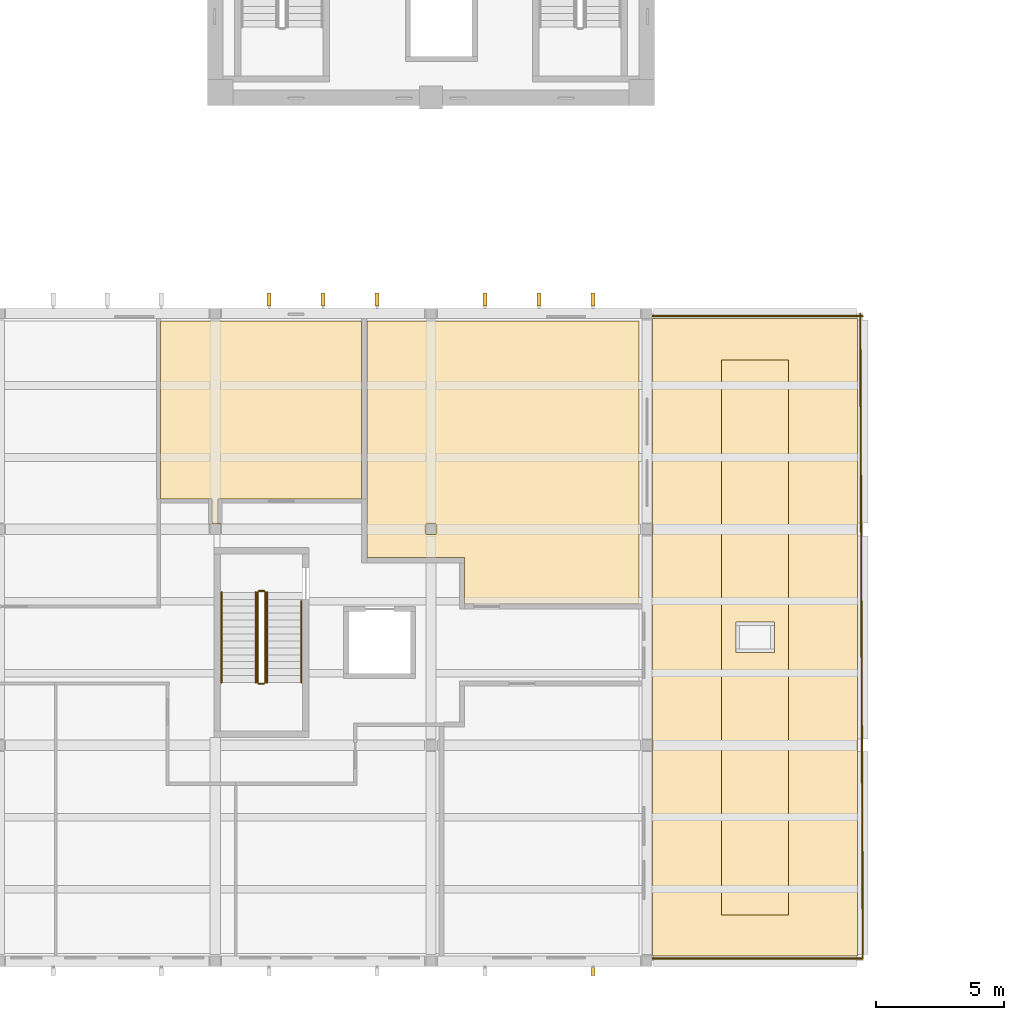
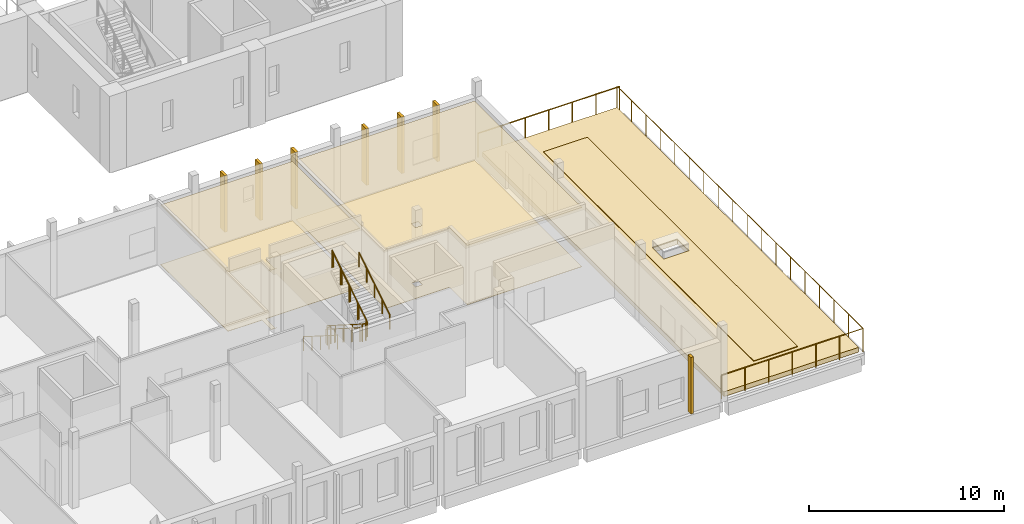
# One storey, part 78 of 103: 13 coverings, 10 railings.
"""IFC4 building model written with IfcOpenShell, lengths in metres."""

from ifc_helpers import new_model, si_unit, direction, frame, origin, origin_2d, place, context, subcontext, project, spatial, polyline, circle, outline, extrude, material, layer, layer_set, type_object, element, save


model = new_model("IFC4")

# Units and contexts
model_context = context("Model", 3, precision=1e-05, world=origin(), true_north=direction((0.0, 1.0)))
body_context = subcontext(model_context, "Body", "Model", "MODEL_VIEW")
ifc_project = project(units=[si_unit("LENGTHUNIT", "METRE"), si_unit("AREAUNIT", "SQUARE_METRE"), si_unit("VOLUMEUNIT", "CUBIC_METRE"), si_unit("PLANEANGLEUNIT", "RADIAN"), si_unit("MASSUNIT", "GRAM", prefix="KILO")], contexts=[model_context])

# Site, building, storey
site_placement = place(None, origin())
site = spatial("IfcSite", under=ifc_project, at=site_placement, CompositionType="ELEMENT")
building_placement = place(site_placement, origin())
building = spatial("IfcBuilding", under=site, at=building_placement, Name="Larchfold Concert Hall", CompositionType="ELEMENT")
storey_placement = place(building_placement, frame((0.0, 0.0, 9.60009765625)))
storey = spatial("IfcBuildingStorey", under=building, at=storey_placement, Name="L02", CompositionType="ELEMENT", Elevation=9.60009765625)

# Coverings
ifc_material_1 = material(Name="Mineral fibre ceiling tile")
ifc_layer_1 = layer(ifc_material_1, 0.02001953125)
ifc_layer_set_1 = layer_set([ifc_layer_1], Name="Mineral fibre ceiling tile")
covering_type_1 = type_object("IfcCoveringType", Name="Ceiling mineral fibre tile 20", PredefinedType="CEILING", material=ifc_layer_set_1)
covering_1_placement = place(storey_placement, frame((0.0, 0.0, 3.719970703125)))
element("IfcCovering", 1, at=covering_1_placement, inside=storey, type_object=covering_type_1, Name="Ceiling Archive Store", PredefinedType="CEILING", context=body_context, shape_type="SweptSolid", body=[
    extrude(outline(polyline([(34.39990234375, 17.562744140625), (34.40625, 17.565673828125), (34.419921875, 17.599853515625), (34.419921875, 17.619873046875), (34.31298828125, 17.6201171875), (34.315185546875, 18.5751953125), (39.89990234375, 18.574951171875), (39.89990234375, 25.5), (32.074951171875, 25.5), (32.074951171875, 18.574951171875), (34.0849609375, 18.574951171875), (34.0849609375, 17.60009765625), (33.98486328125, 17.60009765625), (33.985107421875, 17.57763671875), (34.0, 17.56787109375), (34.0, 17.599853515625), (34.39990234375, 17.599853515625), (34.39990234375, 17.562744140625)])), origin(), (0.0, 0.0, 1.0), 0.02001953125),
])
ifc_material_2 = material(Name="Plasterboard ceiling lining")
ifc_layer_2 = layer(ifc_material_2, 0.030029296875)
ifc_layer_set_2 = layer_set([ifc_layer_2], Name="Plasterboard ceiling lining")
covering_type_2 = type_object("IfcCoveringType", Name="Ceiling suspended plasterboard 30", PredefinedType="CEILING", material=ifc_layer_set_2)
covering_2_placement = place(storey_placement, frame((0.0, 0.0, 3.7099609375)))
element("IfcCovering", 2, at=covering_2_placement, inside=storey, type_object=covering_type_2, Name="Ceiling Practice Room 02", PredefinedType="CEILING", context=body_context, shape_type="SweptSolid", body=[
    extrude(outline(polyline([(40.10009765625, 16.299072265625), (43.89892578125, 16.299072265625), (43.89990234375, 14.4990234375), (50.699951171875, 14.5), (50.699951171875, 25.5), (40.10009765625, 25.5), (40.10009765625, 16.299072265625)]), holes=[polyline([(42.800048828125, 17.199951171875), (42.400146484375, 17.199951171875), (42.400146484375, 17.599853515625), (42.800048828125, 17.599853515625), (42.800048828125, 17.199951171875)])]), origin(), (0.0, 0.0, 1.0), 0.030029296875),
])
ifc_material_3 = material(Name="Linoleum sheet")
ifc_layer_3 = layer(ifc_material_3, 0.02001953125)
ifc_layer_set_3 = layer_set([ifc_layer_3], Name="Linoleum sheet")
covering_type_3 = type_object("IfcCoveringType", Name="Floor finish vinyl 20", PredefinedType="FLOORING", material=ifc_layer_set_3)
covering_3_placement = place(storey_placement, origin())
element("IfcCovering", 3, at=covering_3_placement, inside=storey, type_object=covering_type_3, Name="Floor finish Practice Room 02", PredefinedType="FLOORING", context=body_context, shape_type="SweptSolid", body=[
    extrude(outline(polyline([(40.10009765625, 16.299072265625), (43.89892578125, 16.299072265625), (43.89990234375, 14.4990234375), (50.699951171875, 14.5), (50.699951171875, 25.5), (40.10009765625, 25.5), (40.10009765625, 16.299072265625)]), holes=[polyline([(42.800048828125, 17.199951171875), (42.400146484375, 17.199951171875), (42.400146484375, 17.599853515625), (42.800048828125, 17.599853515625), (42.800048828125, 17.199951171875)])]), origin(), (0.0, 0.0, 1.0), 0.02001953125),
])
covering_4_placement = place(storey_placement, origin())
element("IfcCovering", 4, at=covering_4_placement, inside=storey, type_object=covering_type_3, Name="Floor finish Archive Store", PredefinedType="FLOORING", context=body_context, shape_type="SweptSolid", body=[
    extrude(outline(polyline([(34.39990234375, 17.562744140625), (34.40625, 17.565673828125), (34.419921875, 17.599853515625), (34.419921875, 17.619873046875), (34.31298828125, 17.6201171875), (34.315185546875, 18.5751953125), (39.89990234375, 18.574951171875), (39.89990234375, 25.5), (32.074951171875, 25.5), (32.074951171875, 18.574951171875), (34.0849609375, 18.574951171875), (34.0849609375, 17.60009765625), (33.98486328125, 17.60009765625), (33.985107421875, 17.57763671875), (34.0, 17.56787109375), (34.0, 17.599853515625), (34.39990234375, 17.599853515625), (34.39990234375, 17.562744140625)])), origin(), (0.0, 0.0, 1.0), 0.02001953125),
])
ifc_material_4 = material(Name="Glulam GL30c", Category="wood")
ifc_layer_4 = layer(ifc_material_4, 0.159912109375)
ifc_layer_set_4 = layer_set([ifc_layer_4], Name="Glulam GL30c")
covering_type_4 = type_object("IfcCoveringType", Name="Glulam fin 160x300", PredefinedType="CLADDING", material=ifc_layer_set_4)
covering_5_placement = place(storey_placement, frame((0.0, 0.0, 0.199951171875)))
element("IfcCovering", 5, at=covering_5_placement, inside=storey, type_object=covering_type_4, Name="Glulam fin FN-L02-030", PredefinedType="CLADDING", context=body_context, shape_type="SweptSolid", body=[
    extrude(outline(polyline([(48.97998046875, 0.050048828125), (48.97998046875, 0.35009765625), (48.820068359375, 0.35009765625), (48.820068359375, 0.050048828125), (48.97998046875, 0.050048828125)])), origin(), (0.0, 0.0, 1.0), 3.5400390625),
])
ifc_material_5 = material(Name="Glulam GL30c", Category="wood")
ifc_layer_5 = layer(ifc_material_5, 0.159912109375)
ifc_layer_set_5 = layer_set([ifc_layer_5], Name="Glulam GL30c")
covering_type_5 = type_object("IfcCoveringType", Name="Glulam fin 160x500", PredefinedType="CLADDING", material=ifc_layer_set_5)
covering_6_placement = place(storey_placement, frame((0.0, 0.0, 0.199951171875)))
element("IfcCovering", 6, at=covering_6_placement, inside=storey, type_object=covering_type_5, Name="Glulam fin FN-L02-001", PredefinedType="CLADDING", context=body_context, shape_type="SweptSolid", body=[
    extrude(outline(polyline([(44.780029296875, 26.10009765625), (44.780029296875, 26.60009765625), (44.6201171875, 26.60009765625), (44.6201171875, 26.10009765625), (44.780029296875, 26.10009765625)])), origin(), (0.0, 0.0, 1.0), 3.5400390625),
])
covering_7_placement = place(storey_placement, frame((0.0, 0.0, 0.199951171875)))
element("IfcCovering", 7, at=covering_7_placement, inside=storey, type_object=covering_type_5, Name="Glulam fin FN-L02-002", PredefinedType="CLADDING", context=body_context, shape_type="SweptSolid", body=[
    extrude(outline(polyline([(46.8798828125, 26.10009765625), (46.8798828125, 26.60009765625), (46.719970703125, 26.60009765625), (46.719970703125, 26.10009765625), (46.8798828125, 26.10009765625)])), origin(), (0.0, 0.0, 1.0), 3.5400390625),
])
covering_8_placement = place(storey_placement, frame((0.0, 0.0, 0.199951171875)))
element("IfcCovering", 8, at=covering_8_placement, inside=storey, type_object=covering_type_5, Name="Glulam fin FN-L02-003", PredefinedType="CLADDING", context=body_context, shape_type="SweptSolid", body=[
    extrude(outline(polyline([(48.97998046875, 26.10009765625), (48.97998046875, 26.60009765625), (48.820068359375, 26.60009765625), (48.820068359375, 26.10009765625), (48.97998046875, 26.10009765625)])), origin(), (0.0, 0.0, 1.0), 3.5400390625),
])
covering_9_placement = place(storey_placement, frame((0.0, 0.0, 0.199951171875)))
element("IfcCovering", 9, at=covering_9_placement, inside=storey, type_object=covering_type_5, Name="Glulam fin FN-L02-004", PredefinedType="CLADDING", context=body_context, shape_type="SweptSolid", body=[
    extrude(outline(polyline([(36.3798828125, 26.10009765625), (36.3798828125, 26.60009765625), (36.219970703125, 26.60009765625), (36.219970703125, 26.10009765625), (36.3798828125, 26.10009765625)])), origin(), (0.0, 0.0, 1.0), 3.5400390625),
])
covering_10_placement = place(storey_placement, frame((0.0, 0.0, 0.199951171875)))
element("IfcCovering", 10, at=covering_10_placement, inside=storey, type_object=covering_type_5, Name="Glulam fin FN-L02-005", PredefinedType="CLADDING", context=body_context, shape_type="SweptSolid", body=[
    extrude(outline(polyline([(38.47998046875, 26.10009765625), (38.47998046875, 26.60009765625), (38.320068359375, 26.60009765625), (38.320068359375, 26.10009765625), (38.47998046875, 26.10009765625)])), origin(), (0.0, 0.0, 1.0), 3.5400390625),
])
covering_11_placement = place(storey_placement, frame((0.0, 0.0, 0.199951171875)))
element("IfcCovering", 11, at=covering_11_placement, inside=storey, type_object=covering_type_5, Name="Glulam fin FN-L02-006", PredefinedType="CLADDING", context=body_context, shape_type="SweptSolid", body=[
    extrude(outline(polyline([(40.580078125, 26.10009765625), (40.580078125, 26.60009765625), (40.419921875, 26.60009765625), (40.419921875, 26.10009765625), (40.580078125, 26.10009765625)])), origin(), (0.0, 0.0, 1.0), 3.5400390625),
])
ifc_material_6 = material(Name="Planting soil and drainage layer on membrane")
ifc_layer_6 = layer(ifc_material_6, 0.300048828125)
ifc_layer_set_6 = layer_set([ifc_layer_6], Name="Planting soil and drainage layer on membrane")
covering_type_6 = type_object("IfcCoveringType", Name="Planted roof build-up 300", PredefinedType="ROOFING", material=ifc_layer_set_6)
covering_12_placement = place(storey_placement, origin())
element("IfcCovering", 12, at=covering_12_placement, inside=storey, type_object=covering_type_6, Name="Roof covering RC001", PredefinedType="ROOFING", context=body_context, shape_type="SweptSolid", body=[
    extrude(outline(polyline([(51.2099609375, 25.60009765625), (51.2099609375, 0.800048828125), (59.199951171875, 0.800048828125), (59.199951171875, 25.60009765625), (51.2099609375, 25.60009765625)]), holes=[polyline([(55.9599609375, 13.80029296875), (54.4599609375, 13.80029296875), (54.4599609375, 12.60009765625), (55.9599609375, 12.60009765625), (55.9599609375, 13.80029296875)])]), origin(), (0.0, 0.0, 1.0), 0.300048828125),
])

# Railings
ifc_material_7 = material(Name="Graphite painted steel guard", Category="steel")
railing_type_1 = type_object("IfcRailingType", Name="Roof garden guard 1500", PredefinedType="GUARDRAIL", material=ifc_material_7)
railing_1_placement = place(storey_placement, frame((59.39990234375, 25.699951171875, 0.0)))
element("IfcRailing", 13, at=railing_1_placement, inside=storey, type_object=railing_type_1, Name="Roof guard GR0001", PredefinedType="GUARDRAIL", context=body_context, shape_type="SweptSolid", body=[
    extrude(circle(Radius=0.02392578125, at=origin_2d()), frame((0.0, 0.0, 1.47607421875), z_axis=(-1.0, 0.0, 0.0), x_axis=(0.0, -1.0, 0.0)), (0.0, 0.0, 1.0), 8.389892578125),
    extrude(circle(Radius=0.02099609375, at=origin_2d()), origin(), (0.0, 0.0, 1.0), 1.451904296875),
    extrude(circle(Radius=0.02099609375, at=origin_2d()), frame((-1.3984375, 0.0, 0.0)), (0.0, 0.0, 1.0), 1.451904296875),
    extrude(circle(Radius=0.02099609375, at=origin_2d()), frame((-2.796630859375, 0.0, 0.0)), (0.0, 0.0, 1.0), 1.451904296875),
    extrude(circle(Radius=0.02099609375, at=origin_2d()), frame((-4.19482421875, 0.0, 0.0)), (0.0, 0.0, 1.0), 1.451904296875),
    extrude(circle(Radius=0.02099609375, at=origin_2d()), frame((-5.59326171875, 0.0, 0.0)), (0.0, 0.0, 1.0), 1.451904296875),
    extrude(circle(Radius=0.02099609375, at=origin_2d()), frame((-6.99169921875, 0.0, 0.0)), (0.0, 0.0, 1.0), 1.451904296875),
    extrude(circle(Radius=0.02099609375, at=origin_2d()), frame((-8.389892578125, 0.0, 0.0)), (0.0, 0.0, 1.0), 1.451904296875),
])
railing_2_placement = place(storey_placement, frame((51.010009765625, 0.7001953125, 0.0)))
element("IfcRailing", 14, at=railing_2_placement, inside=storey, type_object=railing_type_1, Name="Roof guard GR0002", PredefinedType="GUARDRAIL", context=body_context, shape_type="SweptSolid", body=[
    extrude(circle(Radius=0.02392578125, at=origin_2d()), frame((0.0, 0.0, 1.47607421875), z_axis=(1.0, 0.0, 0.0), x_axis=(0.0, 1.0, 0.0)), (0.0, 0.0, 1.0), 8.389892578125),
    extrude(circle(Radius=0.02392578125, at=origin_2d()), frame((8.389892578125, 0.0, 1.47607421875), z_axis=(-0.003987945994, 0.999992048112, 0.0), x_axis=(-0.999992048112, -0.003987945994, 0.0)), (0.0, 0.0, 1.0), 25.10009765625),
    extrude(circle(Radius=0.02099609375, at=origin_2d()), origin(), (0.0, 0.0, 1.0), 1.451904296875),
    extrude(circle(Radius=0.02099609375, at=origin_2d()), frame((1.3984375, 0.0, 0.0)), (0.0, 0.0, 1.0), 1.451904296875),
    extrude(circle(Radius=0.02099609375, at=origin_2d()), frame((2.796630859375, 0.0, 0.0)), (0.0, 0.0, 1.0), 1.451904296875),
    extrude(circle(Radius=0.02099609375, at=origin_2d()), frame((4.19482421875, 0.0, 0.0)), (0.0, 0.0, 1.0), 1.451904296875),
    extrude(circle(Radius=0.02099609375, at=origin_2d()), frame((5.59326171875, 0.0, 0.0)), (0.0, 0.0, 1.0), 1.451904296875),
    extrude(circle(Radius=0.02099609375, at=origin_2d()), frame((6.99169921875, 0.0, 0.0)), (0.0, 0.0, 1.0), 1.451904296875),
    extrude(circle(Radius=0.02099609375, at=origin_2d()), frame((8.389892578125, 0.0, 0.0)), (0.0, 0.0, 1.0), 1.451904296875),
    extrude(circle(Radius=0.02099609375, at=origin_2d()), frame((8.384033203125, 1.4765625, 0.0)), (0.0, 0.0, 1.0), 1.451904296875),
    extrude(circle(Radius=0.02099609375, at=origin_2d()), frame((8.378173828125, 2.952880859375, 0.0)), (0.0, 0.0, 1.0), 1.451904296875),
    extrude(circle(Radius=0.02099609375, at=origin_2d()), frame((8.372314453125, 4.429443359375, 0.0)), (0.0, 0.0, 1.0), 1.451904296875),
    extrude(circle(Radius=0.02099609375, at=origin_2d()), frame((8.366455078125, 5.90576171875, 0.0)), (0.0, 0.0, 1.0), 1.451904296875),
    extrude(circle(Radius=0.02099609375, at=origin_2d()), frame((8.3603515625, 7.38232421875, 0.0)), (0.0, 0.0, 1.0), 1.451904296875),
    extrude(circle(Radius=0.02099609375, at=origin_2d()), frame((8.3544921875, 8.85888671875, 0.0)), (0.0, 0.0, 1.0), 1.451904296875),
    extrude(circle(Radius=0.02099609375, at=origin_2d()), frame((8.3486328125, 10.335205078125, 0.0)), (0.0, 0.0, 1.0), 1.451904296875),
    extrude(circle(Radius=0.02099609375, at=origin_2d()), frame((8.3427734375, 11.811767578125, 0.0)), (0.0, 0.0, 1.0), 1.451904296875),
    extrude(circle(Radius=0.02099609375, at=origin_2d()), frame((8.3369140625, 13.2880859375, 0.0)), (0.0, 0.0, 1.0), 1.451904296875),
    extrude(circle(Radius=0.02099609375, at=origin_2d()), frame((8.3310546875, 14.7646484375, 0.0)), (0.0, 0.0, 1.0), 1.451904296875),
    extrude(circle(Radius=0.02099609375, at=origin_2d()), frame((8.3251953125, 16.240966796875, 0.0)), (0.0, 0.0, 1.0), 1.451904296875),
    extrude(circle(Radius=0.02099609375, at=origin_2d()), frame((8.3193359375, 17.717529296875, 0.0)), (0.0, 0.0, 1.0), 1.451904296875),
    extrude(circle(Radius=0.02099609375, at=origin_2d()), frame((8.313232421875, 19.194091796875, 0.0)), (0.0, 0.0, 1.0), 1.451904296875),
    extrude(circle(Radius=0.02099609375, at=origin_2d()), frame((8.307373046875, 20.67041015625, 0.0)), (0.0, 0.0, 1.0), 1.451904296875),
    extrude(circle(Radius=0.02099609375, at=origin_2d()), frame((8.301513671875, 22.14697265625, 0.0)), (0.0, 0.0, 1.0), 1.451904296875),
    extrude(circle(Radius=0.02099609375, at=origin_2d()), frame((8.295654296875, 23.623291015625, 0.0)), (0.0, 0.0, 1.0), 1.451904296875),
    extrude(circle(Radius=0.02099609375, at=origin_2d()), frame((8.289794921875, 25.099853515625, 0.0)), (0.0, 0.0, 1.0), 1.451904296875),
])

# Covering
ifc_material_8 = material(Name="Concrete paving slab on pedestals", Category="concrete")
ifc_layer_7 = layer(ifc_material_8, 0.0400390625)
ifc_layer_set_7 = layer_set([ifc_layer_7], Name="Concrete paving slab on pedestals")
covering_type_7 = type_object("IfcCoveringType", Name="Roof terrace paving 40", PredefinedType="FLOORING", material=ifc_layer_set_7)
covering_13_placement = place(storey_placement, frame((0.0, 0.0, 0.300048828125)))
element("IfcCovering", 15, at=covering_13_placement, inside=storey, type_object=covering_type_7, Name="Roof paving PV03", PredefinedType="FLOORING", context=body_context, shape_type="SweptSolid", body=[
    extrude(outline(polyline([(56.5048828125, 2.400146484375), (56.5048828125, 24.0), (53.905029296875, 24.0), (53.905029296875, 2.400146484375), (56.5048828125, 2.400146484375)]), holes=[polyline([(55.9599609375, 13.80029296875), (54.4599609375, 13.80029296875), (54.4599609375, 12.60009765625), (55.9599609375, 12.60009765625), (55.9599609375, 13.80029296875)])]), origin(), (0.0, 0.0, 1.0), 0.0400390625),
])

# Railings
ifc_material_9 = material(Name="Stainless steel balustrade", Category="steel")
railing_type_2 = type_object("IfcRailingType", Name="Stair guard 1100", PredefinedType="GUARDRAIL", material=ifc_material_9)
railing_3_placement = place(storey_placement, frame((35.849853515625, 14.949951171875, 0.17138671875)))
element("IfcRailing", 16, at=railing_3_placement, inside=storey, type_object=railing_type_2, Name="Guard GR0080", PredefinedType="GUARDRAIL", context=body_context, shape_type="SweptSolid", body=[
    extrude(circle(Radius=0.02392578125, at=origin_2d()), frame((0.0, 0.0, 1.076171875), z_axis=(0.0, -0.844219563411, 0.53599750816), x_axis=(1.0, 0.0, 0.0)), (0.0, 0.0, 1.0), 4.15771484375),
    extrude(circle(Radius=0.02099609375, at=origin_2d()), origin(), (0.0, 0.0, 1.0), 1.052001953125),
    extrude(circle(Radius=0.02099609375, at=origin_2d()), frame((0.0, -0.87744140625, 0.55712890625)), (0.0, 0.0, 1.0), 1.052001953125),
    extrude(circle(Radius=0.02099609375, at=origin_2d()), frame((0.0, -1.7548828125, 1.1142578125)), (0.0, 0.0, 1.0), 1.052001953125),
    extrude(circle(Radius=0.02099609375, at=origin_2d()), frame((0.0, -2.632568359375, 1.67138671875)), (0.0, 0.0, 1.0), 1.052001953125),
    extrude(circle(Radius=0.02099609375, at=origin_2d()), frame((0.0, -3.510009765625, 2.228515625)), (0.0, 0.0, 1.0), 1.052001953125),
])
railing_4_placement = place(storey_placement, frame((35.89990234375, 11.389892578125, 2.39990234375)))
element("IfcRailing", 17, at=railing_4_placement, inside=storey, type_object=railing_type_2, Name="Guard GR0081", PredefinedType="GUARDRAIL", context=body_context, shape_type="SweptSolid", body=[
    extrude(circle(Radius=0.02392578125, at=origin_2d()), frame((0.0, 0.0, 1.076171875), z_axis=(1.0, 0.0, 0.0), x_axis=(0.0, 1.0, 0.0)), (0.0, 0.0, 1.0), 0.199951171875),
    extrude(circle(Radius=0.02099609375, at=origin_2d()), origin(), (0.0, 0.0, 1.0), 1.052001953125),
    extrude(circle(Radius=0.02099609375, at=origin_2d()), frame((0.199951171875, 0.0, 0.0)), (0.0, 0.0, 1.0), 1.052001953125),
])
railing_5_placement = place(storey_placement, frame((36.14990234375, 11.43994140625, 2.5712890625)))
element("IfcRailing", 18, at=railing_5_placement, inside=storey, type_object=railing_type_2, Name="Guard GR0082", PredefinedType="GUARDRAIL", context=body_context, shape_type="SweptSolid", body=[
    extrude(circle(Radius=0.02392578125, at=origin_2d()), frame((0.0, 0.0, 1.076171875), z_axis=(0.0, 0.844219563411, 0.53599750816), x_axis=(-1.0, 0.0, 0.0)), (0.0, 0.0, 1.0), 4.15771484375),
    extrude(circle(Radius=0.02099609375, at=origin_2d()), origin(), (0.0, 0.0, 1.0), 1.052001953125),
    extrude(circle(Radius=0.02099609375, at=origin_2d()), frame((0.0, 0.87744140625, 0.55712890625)), (0.0, 0.0, 1.0), 1.052001953125),
    extrude(circle(Radius=0.02099609375, at=origin_2d()), frame((0.0, 1.7548828125, 1.1142578125)), (0.0, 0.0, 1.0), 1.052001953125),
    extrude(circle(Radius=0.02099609375, at=origin_2d()), frame((0.0, 2.632568359375, 1.67138671875)), (0.0, 0.0, 1.0), 1.052001953125),
    extrude(circle(Radius=0.02099609375, at=origin_2d()), frame((0.0, 3.510009765625, 2.228515625)), (0.0, 0.0, 1.0), 1.052001953125),
])
railing_6_placement = place(storey_placement, frame((35.89990234375, 15.0, 0.0)))
element("IfcRailing", 19, at=railing_6_placement, inside=storey, type_object=railing_type_2, Name="Guard GR0083", PredefinedType="GUARDRAIL", context=body_context, shape_type="SweptSolid", body=[
    extrude(circle(Radius=0.02392578125, at=origin_2d()), frame((0.0, 0.0, 1.076171875), z_axis=(1.0, 0.0, 0.0), x_axis=(0.0, 1.0, 0.0)), (0.0, 0.0, 1.0), 0.199951171875),
    extrude(circle(Radius=0.02099609375, at=origin_2d()), origin(), (0.0, 0.0, 1.0), 1.052001953125),
    extrude(circle(Radius=0.02099609375, at=origin_2d()), frame((0.199951171875, 0.0, 0.0)), (0.0, 0.0, 1.0), 1.052001953125),
])
ifc_material_10 = material(Name="Stainless steel handrail", Category="steel")
railing_type_3 = type_object("IfcRailingType", Name="Stair handrail 900", PredefinedType="HANDRAIL", material=ifc_material_10)
railing_7_placement = place(storey_placement, frame((34.449951171875, 14.949951171875, 0.17138671875)))
element("IfcRailing", 20, at=railing_7_placement, inside=storey, type_object=railing_type_3, Name="Handrail HR0077", PredefinedType="HANDRAIL", context=body_context, shape_type="SweptSolid", body=[
    extrude(circle(Radius=0.02392578125, at=origin_2d()), frame((0.0, 0.0, 0.8759765625), z_axis=(0.0, -0.844219563411, 0.53599750816), x_axis=(1.0, 0.0, 0.0)), (0.0, 0.0, 1.0), 4.15771484375),
    extrude(circle(Radius=0.02099609375, at=origin_2d()), origin(), (0.0, 0.0, 1.0), 0.851806640625),
    extrude(circle(Radius=0.02099609375, at=origin_2d()), frame((0.0, -0.87744140625, 0.55712890625)), (0.0, 0.0, 1.0), 0.851806640625),
    extrude(circle(Radius=0.02099609375, at=origin_2d()), frame((0.0, -1.7548828125, 1.1142578125)), (0.0, 0.0, 1.0), 0.851806640625),
    extrude(circle(Radius=0.02099609375, at=origin_2d()), frame((0.0, -2.632568359375, 1.67138671875)), (0.0, 0.0, 1.0), 0.851806640625),
    extrude(circle(Radius=0.02099609375, at=origin_2d()), frame((0.0, -3.510009765625, 2.228515625)), (0.0, 0.0, 1.0), 0.851806640625),
])
railing_8_placement = place(storey_placement, frame((37.5498046875, 11.43994140625, 2.5712890625)))
element("IfcRailing", 21, at=railing_8_placement, inside=storey, type_object=railing_type_3, Name="Handrail HR0078", PredefinedType="HANDRAIL", context=body_context, shape_type="SweptSolid", body=[
    extrude(circle(Radius=0.02392578125, at=origin_2d()), frame((0.0, 0.0, 0.8759765625), z_axis=(0.0, 0.844224994989, 0.535988953092), x_axis=(-1.0, 0.0, 0.0)), (0.0, 0.0, 1.0), 3.7431640625),
    extrude(circle(Radius=0.02099609375, at=origin_2d()), origin(), (0.0, 0.0, 1.0), 0.851806640625),
    extrude(circle(Radius=0.02099609375, at=origin_2d()), frame((0.0, 0.7900390625, 0.50146484375)), (0.0, 0.0, 1.0), 0.851806640625),
    extrude(circle(Radius=0.02099609375, at=origin_2d()), frame((0.0, 1.580078125, 1.003173828125)), (0.0, 0.0, 1.0), 0.851806640625),
    extrude(circle(Radius=0.02099609375, at=origin_2d()), frame((0.0, 2.3701171875, 1.5048828125)), (0.0, 0.0, 1.0), 0.851806640625),
    extrude(circle(Radius=0.02099609375, at=origin_2d()), frame((0.0, 3.16015625, 2.00634765625)), (0.0, 0.0, 1.0), 0.851806640625),
])
railing_9_placement = place(storey_placement, frame((35.77978515625, 14.949951171875, 0.17138671875)))
element("IfcRailing", 22, at=railing_9_placement, inside=storey, type_object=railing_type_3, Name="Handrail HR0079", PredefinedType="HANDRAIL", context=body_context, shape_type="SweptSolid", body=[
    extrude(circle(Radius=0.02392578125, at=origin_2d()), frame((0.0, 0.0, 0.8759765625), z_axis=(0.0, -0.844219563411, 0.53599750816), x_axis=(1.0, 0.0, 0.0)), (0.0, 0.0, 1.0), 4.15771484375),
    extrude(circle(Radius=0.02099609375, at=origin_2d()), origin(), (0.0, 0.0, 1.0), 0.851806640625),
    extrude(circle(Radius=0.02099609375, at=origin_2d()), frame((0.0, -0.87744140625, 0.55712890625)), (0.0, 0.0, 1.0), 0.851806640625),
    extrude(circle(Radius=0.02099609375, at=origin_2d()), frame((0.0, -1.7548828125, 1.1142578125)), (0.0, 0.0, 1.0), 0.851806640625),
    extrude(circle(Radius=0.02099609375, at=origin_2d()), frame((0.0, -2.632568359375, 1.67138671875)), (0.0, 0.0, 1.0), 0.851806640625),
    extrude(circle(Radius=0.02099609375, at=origin_2d()), frame((0.0, -3.510009765625, 2.228515625)), (0.0, 0.0, 1.0), 0.851806640625),
])
railing_10_placement = place(storey_placement, frame((36.219970703125, 11.43994140625, 2.5712890625)))
element("IfcRailing", 23, at=railing_10_placement, inside=storey, type_object=railing_type_3, Name="Handrail HR0080", PredefinedType="HANDRAIL", context=body_context, shape_type="SweptSolid", body=[
    extrude(circle(Radius=0.02392578125, at=origin_2d()), frame((0.0, 0.0, 0.8759765625), z_axis=(0.0, 0.844219563411, 0.53599750816), x_axis=(-1.0, 0.0, 0.0)), (0.0, 0.0, 1.0), 4.15771484375),
    extrude(circle(Radius=0.02099609375, at=origin_2d()), origin(), (0.0, 0.0, 1.0), 0.851806640625),
    extrude(circle(Radius=0.02099609375, at=origin_2d()), frame((0.0, 0.87744140625, 0.55712890625)), (0.0, 0.0, 1.0), 0.851806640625),
    extrude(circle(Radius=0.02099609375, at=origin_2d()), frame((0.0, 1.7548828125, 1.1142578125)), (0.0, 0.0, 1.0), 0.851806640625),
    extrude(circle(Radius=0.02099609375, at=origin_2d()), frame((0.0, 2.632568359375, 1.67138671875)), (0.0, 0.0, 1.0), 0.851806640625),
    extrude(circle(Radius=0.02099609375, at=origin_2d()), frame((0.0, 3.510009765625, 2.228515625)), (0.0, 0.0, 1.0), 0.851806640625),
])

save(model, "model.ifc")
